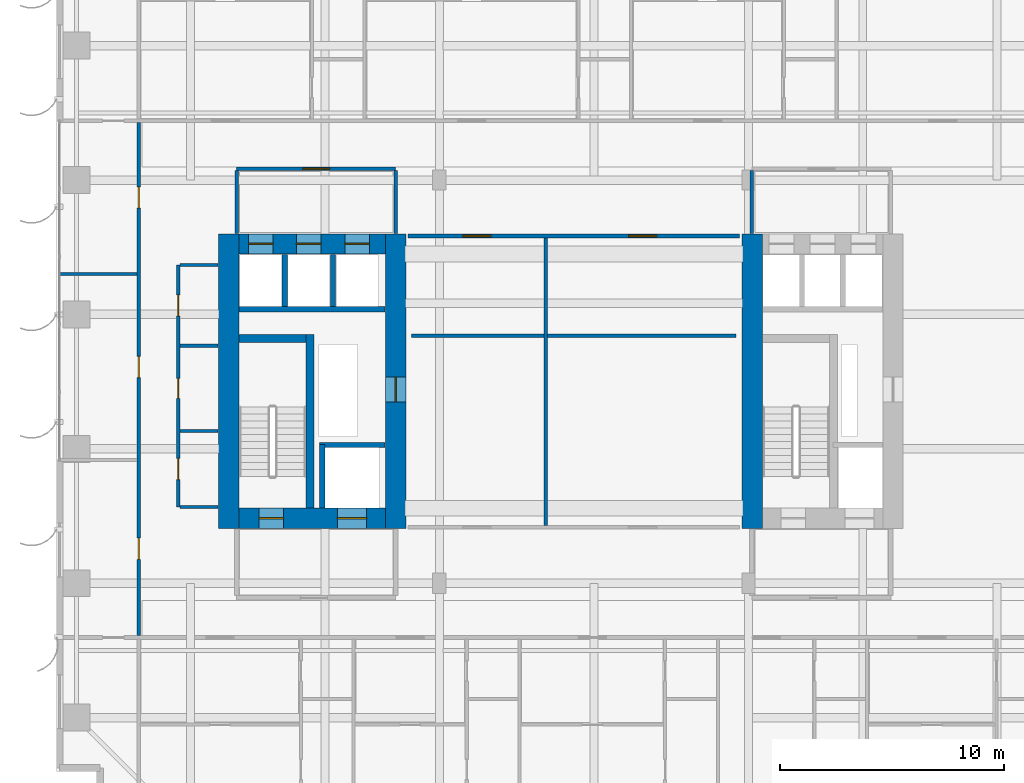
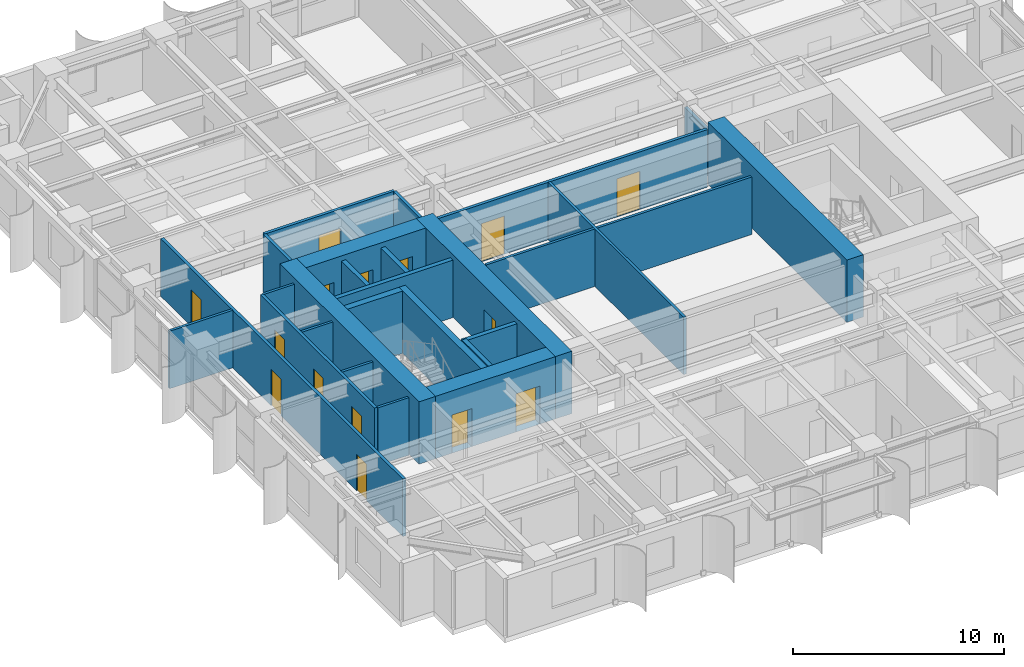
# One storey, part 17 of 26: 26 walls, 15 doors, 15 openings.
"""IFC4 building model written with IfcOpenShell, lengths in metres."""

from ifc_helpers import new_model, si_unit, direction, frame, frame_2d, origin, place, context, subcontext, project, spatial, rectangle, extrude, source, transform, mapped, material, layer, layer_set, type_object, element, fill, save


model = new_model("IFC4")

# Units and contexts
model_context = context("Model", 3, precision=1e-05, world=origin(), true_north=direction((0.0, 1.0)))
body_context = subcontext(model_context, "Body", "Model", "MODEL_VIEW")
ifc_project = project(units=[si_unit("LENGTHUNIT", "METRE"), si_unit("AREAUNIT", "SQUARE_METRE"), si_unit("VOLUMEUNIT", "CUBIC_METRE"), si_unit("PLANEANGLEUNIT", "RADIAN"), si_unit("MASSUNIT", "GRAM", prefix="KILO")], contexts=[model_context])

# Site, building, storey
site_placement = place(None, origin())
site = spatial("IfcSite", under=ifc_project, at=site_placement, CompositionType="ELEMENT")
building_placement = place(site_placement, origin())
building = spatial("IfcBuilding", under=site, at=building_placement, Name="Khoralis Quay Care Tower", CompositionType="ELEMENT")
storey_placement = place(building_placement, frame((0.0, 0.0, 26.10009765625)))
storey = spatial("IfcBuildingStorey", under=building, at=storey_placement, Name="L06", CompositionType="ELEMENT", Elevation=26.10009765625)

# Wall
ifc_material_1 = material(Name="Concrete C80/95", Category="concrete")
ifc_layer_1 = layer(ifc_material_1, 0.89990234375)
ifc_layer_set_1 = layer_set([ifc_layer_1], Name="Concrete C80/95")
wall_type_1 = type_object("IfcWallType", Name="WL-CORE-900", PredefinedType="SHEAR", material=ifc_layer_set_1)
wall_1_placement = place(storey_placement, frame((7.699951171875, 14.449951171875, 0.0), z_axis=(0.0, 0.0, 1.0), x_axis=(0.0, 1.0, 0.0)))
element("IfcWall", 1, at=wall_1_placement, inside=storey, type_object=wall_type_1, Name="L06 WCORE West Shear Wall", PredefinedType="SHEAR", context=body_context, shape_type="SweptSolid", body=[
    extrude(rectangle(XDim=13.150146484375, YDim=0.89990234375, at=frame_2d((6.5751953125, 0.0))), origin(), (0.0, 0.0, 1.0), 3.599853515625),
])

# Wall, opening, door
wall_2_placement = place(storey_placement, frame((15.14990234375, 14.449951171875, 0.0), z_axis=(0.0, 0.0, 1.0), x_axis=(0.0, 1.0, 0.0)))
wall_2 = element("IfcWall", 2, at=wall_2_placement, inside=storey, type_object=wall_type_1, Name="L06 WCORE East Shear Wall", PredefinedType="SHEAR", context=body_context, shape_type="SweptSolid", body=[
    extrude(rectangle(XDim=13.150146484375, YDim=0.89990234375, at=frame_2d((6.5751953125, 0.0))), origin(), (0.0, 0.0, 1.0), 3.599853515625),
])
opening_1_placement = place(wall_2_placement, frame((5.64990234375, 0.0, 0.0)))
opening_1 = element("IfcOpeningElement", 3, at=opening_1_placement, cuts=wall_2, Name="Opening SD1", PredefinedType="OPENING", context=body_context, shape_type="SweptSolid", body=[
    extrude(rectangle(XDim=1.10009765625, YDim=2.199951171875, at=frame_2d((0.550048828125, 1.10009765625))), frame((0.0, 0.4599609375, 0.0), z_axis=(0.0, -1.0, 0.0), x_axis=(1.0, 0.0, 0.0)), (0.0, 0.0, 1.0), 0.919921875),
])
ifc_material_2 = material(Name="Fire-rated painted steel", Category="steel")
door_type_1 = type_object("IfcDoorType", Name="DR-STAIR-1100X2200", OperationType="NOTDEFINED", PredefinedType="DOOR", material=ifc_material_2)
shared_shape_1 = source(origin(), body_context, "Body", "SweptSolid", [
    extrude(rectangle(XDim=1.10009765625, YDim=2.199951171875, at=frame_2d((0.550048828125, 1.10009765625))), frame((0.0, 0.02490234375, 0.0), z_axis=(0.0, -1.0, 0.0), x_axis=(1.0, 0.0, 0.0)), (0.0, 0.0, 1.0), 0.050048828125),
])
door_1_placement = place(opening_1_placement, origin())
door_1 = element("IfcDoor", 4, at=door_1_placement, inside=storey, type_object=door_type_1, Name="L06 West MEP Riser Door", OperationType="SINGLE_SWING_RIGHT", OverallHeight=2.199951171875, OverallWidth=1.10009765625, PredefinedType="DOOR", context=body_context, shape_type="MappedRepresentation", body=[
    mapped(shared_shape_1, transform((0.0, 0.0, 0.0), scale=1.0)),
])
fill(opening_1, door_1)

# Wall, openings, doors
wall_3_placement = place(storey_placement, frame((8.14990234375, 14.89990234375, 0.0), z_axis=(0.0, 0.0, 1.0), x_axis=(1.0, 0.0, 0.0)))
wall_3 = element("IfcWall", 5, at=wall_3_placement, inside=storey, type_object=wall_type_1, Name="L06 WCORE South Shear Wall", PredefinedType="SHEAR", context=body_context, shape_type="SweptSolid", body=[
    extrude(rectangle(XDim=6.550048828125, YDim=0.89990234375, at=frame_2d((3.27490234375, 0.0))), origin(), (0.0, 0.0, 1.0), 3.599853515625),
])
opening_2_placement = place(wall_3_placement, frame((0.89990234375, 0.0, 0.0)))
opening_2 = element("IfcOpeningElement", 6, at=opening_2_placement, cuts=wall_3, Name="Opening SD1", PredefinedType="OPENING", context=body_context, shape_type="SweptSolid", body=[
    extrude(rectangle(XDim=1.10009765625, YDim=2.199951171875, at=frame_2d((0.550048828125, 1.10009765625))), frame((0.0, 0.4599609375, 0.0), z_axis=(0.0, -1.0, 0.0), x_axis=(1.0, 0.0, 0.0)), (0.0, 0.0, 1.0), 0.919921875),
])
opening_3_placement = place(wall_3_placement, frame((4.39990234375, 0.0, 0.0)))
opening_3 = element("IfcOpeningElement", 7, at=opening_3_placement, cuts=wall_3, Name="Opening LD2", PredefinedType="OPENING", context=body_context, shape_type="SweptSolid", body=[
    extrude(rectangle(XDim=1.300048828125, YDim=2.199951171875, at=frame_2d((0.64990234375, 1.10009765625))), frame((0.0, 0.4599609375, 0.0), z_axis=(0.0, -1.0, 0.0), x_axis=(1.0, 0.0, 0.0)), (0.0, 0.0, 1.0), 0.919921875),
])
door_2_placement = place(opening_2_placement, origin())
door_2 = element("IfcDoor", 8, at=door_2_placement, inside=storey, type_object=door_type_1, Name="L06 Stair ST-T1 Fire Door", OperationType="SINGLE_SWING_RIGHT", OverallHeight=2.199951171875, OverallWidth=1.10009765625, PredefinedType="DOOR", context=body_context, shape_type="MappedRepresentation", body=[
    mapped(shared_shape_1, transform((0.0, 0.0, 0.0), scale=1.0)),
])
fill(opening_2, door_2)
ifc_material_3 = material(Name="Brushed stainless steel", Category="steel")
door_type_2 = type_object("IfcDoorType", Name="DR-LIFT-1300X2200", OperationType="SLIDING_TO_RIGHT", PredefinedType="DOOR", material=ifc_material_3)
shared_shape_2 = source(origin(), body_context, "Body", "SweptSolid", [
    extrude(rectangle(XDim=1.300048828125, YDim=2.199951171875, at=frame_2d((0.64990234375, 1.10009765625))), frame((0.0, 0.02490234375, 0.0), z_axis=(0.0, -1.0, 0.0), x_axis=(1.0, 0.0, 0.0)), (0.0, 0.0, 1.0), 0.050048828125),
])
door_3_placement = place(opening_3_placement, origin())
door_3 = element("IfcDoor", 9, at=door_3_placement, inside=storey, type_object=door_type_2, Name="L06 Firefighting Lift FFL-1 Landing Door", OperationType="SLIDING_TO_RIGHT", OverallHeight=2.199951171875, OverallWidth=1.300048828125, PredefinedType="DOOR", context=body_context, shape_type="MappedRepresentation", body=[
    mapped(shared_shape_2, transform((0.0, 0.0, 0.0), scale=1.0)),
])
fill(opening_3, door_3)

wall_4_placement = place(storey_placement, frame((8.14990234375, 27.14990234375, 0.0), z_axis=(0.0, 0.0, 1.0), x_axis=(1.0, 0.0, 0.0)))
wall_4 = element("IfcWall", 10, at=wall_4_placement, inside=storey, type_object=wall_type_1, Name="L06 WCORE North Shear Wall", PredefinedType="SHEAR", context=body_context, shape_type="SweptSolid", body=[
    extrude(rectangle(XDim=6.550048828125, YDim=0.89990234375, at=frame_2d((3.27490234375, 0.0))), origin(), (0.0, 0.0, 1.0), 3.599853515625),
])
opening_4_placement = place(wall_4_placement, frame((0.429931640625, 0.0, 0.0)))
opening_4 = element("IfcOpeningElement", 11, at=opening_4_placement, cuts=wall_4, Name="Opening LD1", PredefinedType="OPENING", context=body_context, shape_type="SweptSolid", body=[
    extrude(rectangle(XDim=1.10009765625, YDim=2.199951171875, at=frame_2d((0.550048828125, 1.10009765625))), frame((0.0, 0.4599609375, 0.0), z_axis=(0.0, -1.0, 0.0), x_axis=(1.0, 0.0, 0.0)), (0.0, 0.0, 1.0), 0.919921875),
])
opening_5_placement = place(wall_4_placement, frame((2.570068359375, 0.0, 0.0)))
opening_5 = element("IfcOpeningElement", 12, at=opening_5_placement, cuts=wall_4, Name="Opening LD1", PredefinedType="OPENING", context=body_context, shape_type="SweptSolid", body=[
    extrude(rectangle(XDim=1.10009765625, YDim=2.199951171875, at=frame_2d((0.550048828125, 1.10009765625))), frame((0.0, 0.4599609375, 0.0), z_axis=(0.0, -1.0, 0.0), x_axis=(1.0, 0.0, 0.0)), (0.0, 0.0, 1.0), 0.919921875),
])
opening_6_placement = place(wall_4_placement, frame((4.72998046875, 0.0, 0.0)))
opening_6 = element("IfcOpeningElement", 13, at=opening_6_placement, cuts=wall_4, Name="Opening LD1", PredefinedType="OPENING", context=body_context, shape_type="SweptSolid", body=[
    extrude(rectangle(XDim=1.10009765625, YDim=2.199951171875, at=frame_2d((0.550048828125, 1.10009765625))), frame((0.0, 0.4599609375, 0.0), z_axis=(0.0, -1.0, 0.0), x_axis=(1.0, 0.0, 0.0)), (0.0, 0.0, 1.0), 0.919921875),
])
door_type_3 = type_object("IfcDoorType", Name="DR-LIFT-1100X2200", OperationType="SLIDING_TO_LEFT", PredefinedType="DOOR", material=ifc_material_3)
shared_shape_3 = source(origin(), body_context, "Body", "SweptSolid", [
    extrude(rectangle(XDim=1.10009765625, YDim=2.199951171875, at=frame_2d((0.550048828125, 1.10009765625))), frame((0.0, 0.02490234375, 0.0), z_axis=(0.0, -1.0, 0.0), x_axis=(1.0, 0.0, 0.0)), (0.0, 0.0, 1.0), 0.050048828125),
])
door_4_placement = place(opening_4_placement, origin())
door_4 = element("IfcDoor", 14, at=door_4_placement, inside=storey, type_object=door_type_3, Name="L06 Lift PLL1 Landing Door", OperationType="SLIDING_TO_LEFT", OverallHeight=2.199951171875, OverallWidth=1.10009765625, PredefinedType="DOOR", context=body_context, shape_type="MappedRepresentation", body=[
    mapped(shared_shape_3, transform((0.0, 0.0, 0.0), scale=1.0)),
])
fill(opening_4, door_4)
door_5_placement = place(opening_5_placement, origin())
door_5 = element("IfcDoor", 15, at=door_5_placement, inside=storey, type_object=door_type_3, Name="L06 Lift PLM1 Landing Door", OperationType="SLIDING_TO_LEFT", OverallHeight=2.199951171875, OverallWidth=1.10009765625, PredefinedType="DOOR", context=body_context, shape_type="MappedRepresentation", body=[
    mapped(shared_shape_3, transform((0.0, 0.0, 0.0), scale=1.0)),
])
fill(opening_5, door_5)
door_6_placement = place(opening_6_placement, origin())
door_6 = element("IfcDoor", 16, at=door_6_placement, inside=storey, type_object=door_type_3, Name="L06 Lift PLH1 Landing Door", OperationType="SLIDING_TO_LEFT", OverallHeight=2.199951171875, OverallWidth=1.10009765625, PredefinedType="DOOR", context=body_context, shape_type="MappedRepresentation", body=[
    mapped(shared_shape_3, transform((0.0, 0.0, 0.0), scale=1.0)),
])
fill(opening_6, door_6)

# Wall
wall_5_placement = place(storey_placement, frame((31.070068359375, 14.449951171875, 0.0), z_axis=(0.0, 0.0, 1.0), x_axis=(0.0, 1.0, 0.0)))
element("IfcWall", 17, at=wall_5_placement, inside=storey, type_object=wall_type_1, Name="L06 ECORE West Shear Wall", PredefinedType="SHEAR", context=body_context, shape_type="SweptSolid", body=[
    extrude(rectangle(XDim=13.150146484375, YDim=0.89990234375, at=frame_2d((6.5751953125, 0.0))), origin(), (0.0, 0.0, 1.0), 3.599853515625),
])

# Wall, opening, door
ifc_material_4 = material(Name="Gypsum plasterboard on acoustic metal stud")
ifc_layer_2 = layer(ifc_material_4, 0.1650390625)
ifc_layer_set_2 = layer_set([ifc_layer_2], Name="Gypsum plasterboard on acoustic metal stud")
wall_type_2 = type_object("IfcWallType", Name="WL-CORR-165", PredefinedType="PARTITIONING", material=ifc_layer_set_2)
wall_6_placement = place(storey_placement, frame((8.050048828125, 30.5, 0.0), z_axis=(0.0, 0.0, 1.0), x_axis=(1.0, 0.0, 0.0)))
wall_6 = element("IfcWall", 18, at=wall_6_placement, inside=storey, type_object=wall_type_2, Name="L06 West Lift Lobby North Wall", PredefinedType="PARTITIONING", context=body_context, shape_type="SweptSolid", body=[
    extrude(rectangle(XDim=7.099853515625, YDim=0.1650390625, at=frame_2d((3.5498046875, 0.0))), origin(), (0.0, 0.0, 1.0), 3.31982421875),
])
opening_7_placement = place(wall_6_placement, frame((2.949951171875, 0.0, 0.0)))
opening_7 = element("IfcOpeningElement", 19, at=opening_7_placement, cuts=wall_6, Name="Opening FD1", PredefinedType="OPENING", context=body_context, shape_type="SweptSolid", body=[
    extrude(rectangle(XDim=1.199951171875, YDim=2.199951171875, at=frame_2d((0.60009765625, 1.10009765625))), frame((0.0, 0.092529296875, 0.0), z_axis=(0.0, -1.0, 0.0), x_axis=(1.0, 0.0, 0.0)), (0.0, 0.0, 1.0), 0.18505859375),
])
door_type_4 = type_object("IfcDoorType", Name="DR-FFL-1200X2200", OperationType="NOTDEFINED", PredefinedType="DOOR", material=ifc_material_2)
shared_shape_4 = source(origin(), body_context, "Body", "SweptSolid", [
    extrude(rectangle(XDim=1.199951171875, YDim=2.199951171875, at=frame_2d((0.60009765625, 1.10009765625))), frame((0.0, 0.02490234375, 0.0), z_axis=(0.0, -1.0, 0.0), x_axis=(1.0, 0.0, 0.0)), (0.0, 0.0, 1.0), 0.050048828125),
])
door_7_placement = place(opening_7_placement, origin())
door_7 = element("IfcDoor", 20, at=door_7_placement, inside=storey, type_object=door_type_4, Name="L06 West Lift Lobby Double Door", OperationType="DOUBLE_DOOR_SINGLE_SWING", OverallHeight=2.199951171875, OverallWidth=1.199951171875, PredefinedType="DOOR", context=body_context, shape_type="MappedRepresentation", body=[
    mapped(shared_shape_4, transform((0.0, 0.0, 0.0), scale=1.0)),
])
fill(opening_7, door_7)

# Walls
for number, where, z_axis, x_axis, name in (
    (21, (8.050048828125, 27.6201171875, 0.0), (0.0, 0.0, 1.0), (0.0, 1.0, 0.0), "L06 West Lift Lobby West Wall"),
    (22, (15.14990234375, 27.6201171875, 0.0), (0.0, 0.0, 1.0), (0.0, 1.0, 0.0), "L06 West Lift Lobby East Wall"),
):
    element("IfcWall", number, at=place(storey_placement, frame(where, z_axis=z_axis, x_axis=x_axis)), inside=storey, type_object=wall_type_2, Name=name, PredefinedType="PARTITIONING", context=body_context, shape_type="SweptSolid", body=[
        extrude(rectangle(XDim=2.802490234375, YDim=0.1650390625, at=frame_2d((1.4013671875, 0.0))), origin(), (0.0, 0.0, 1.0), 3.31982421875),
    ])
wall_7_placement = place(storey_placement, frame((31.050048828125, 27.6201171875, 0.0), z_axis=(0.0, 0.0, 1.0), x_axis=(0.0, 1.0, 0.0)))
element("IfcWall", 23, at=wall_7_placement, inside=storey, type_object=wall_type_2, Name="L06 East Lift Lobby West Wall", PredefinedType="PARTITIONING", context=body_context, shape_type="SweptSolid", body=[
    extrude(rectangle(XDim=2.802490234375, YDim=0.1650390625, at=frame_2d((1.4013671875, 0.0))), origin(), (0.0, 0.0, 1.0), 2.625),
])

# Wall, openings, doors
wall_8_placement = place(storey_placement, frame((5.449951171875, 15.39990234375, 0.0), z_axis=(0.0, 0.0, 1.0), x_axis=(0.0, 1.0, 0.0)))
wall_8 = element("IfcWall", 24, at=wall_8_placement, inside=storey, type_object=wall_type_2, Name="L06 West Core Service Flank Wall", PredefinedType="PARTITIONING", context=body_context, shape_type="SweptSolid", body=[
    extrude(rectangle(XDim=10.800048828125, YDim=0.1650390625, at=frame_2d((5.39990234375, 0.0))), origin(), (0.0, 0.0, 1.0), 3.31982421875),
])
opening_8_placement = place(wall_8_placement, frame((1.22509765625, 0.0, 0.0)))
opening_8 = element("IfcOpeningElement", 25, at=opening_8_placement, cuts=wall_8, Name="Opening ID1", PredefinedType="OPENING", context=body_context, shape_type="SweptSolid", body=[
    extrude(rectangle(XDim=0.949951171875, YDim=2.10009765625, at=frame_2d((0.47509765625, 1.050048828125))), frame((0.0, 0.092529296875, 0.0), z_axis=(0.0, -1.0, 0.0), x_axis=(1.0, 0.0, 0.0)), (0.0, 0.0, 1.0), 0.18505859375),
])
opening_9_placement = place(wall_8_placement, frame((4.85009765625, 0.0, 0.0)))
opening_9 = element("IfcOpeningElement", 26, at=opening_9_placement, cuts=wall_8, Name="Opening WD1", PredefinedType="OPENING", context=body_context, shape_type="SweptSolid", body=[
    extrude(rectangle(XDim=0.89990234375, YDim=2.10009765625, at=frame_2d((0.449951171875, 1.050048828125))), frame((0.0, 0.092529296875, 0.0), z_axis=(0.0, -1.0, 0.0), x_axis=(1.0, 0.0, 0.0)), (0.0, 0.0, 1.0), 0.18505859375),
])
opening_10_placement = place(wall_8_placement, frame((8.52490234375, 0.0, 0.0)))
opening_10 = element("IfcOpeningElement", 27, at=opening_10_placement, cuts=wall_8, Name="Opening ID1", PredefinedType="OPENING", context=body_context, shape_type="SweptSolid", body=[
    extrude(rectangle(XDim=0.949951171875, YDim=2.10009765625, at=frame_2d((0.47509765625, 1.050048828125))), frame((0.0, 0.092529296875, 0.0), z_axis=(0.0, -1.0, 0.0), x_axis=(1.0, 0.0, 0.0)), (0.0, 0.0, 1.0), 0.18505859375),
])
ifc_material_5 = material(Name="Acoustic hardwood timber", Category="wood")
door_type_5 = type_object("IfcDoorType", Name="DR-BATH-900X2100", OperationType="NOTDEFINED", PredefinedType="DOOR", material=ifc_material_5)
shared_shape_5 = source(origin(), body_context, "Body", "SweptSolid", [
    extrude(rectangle(XDim=0.89990234375, YDim=2.10009765625, at=frame_2d((0.449951171875, 1.050048828125))), frame((0.0, 0.02490234375, 0.0), z_axis=(0.0, -1.0, 0.0), x_axis=(1.0, 0.0, 0.0)), (0.0, 0.0, 1.0), 0.050048828125),
])
door_8_placement = place(opening_9_placement, frame((0.89990234375, 0.0, 0.0), z_axis=(0.0, 0.0, 1.0), x_axis=(-1.0, 0.0, 0.0)))
door_8 = element("IfcDoor", 28, at=door_8_placement, inside=storey, type_object=door_type_5, Name="L06 Public Accessible WC Door", OperationType="SINGLE_SWING_RIGHT", OverallHeight=2.10009765625, OverallWidth=0.89990234375, PredefinedType="DOOR", context=body_context, shape_type="MappedRepresentation", body=[
    mapped(shared_shape_5, transform((0.0, 0.0, 0.0), scale=1.0)),
])
fill(opening_9, door_8)
door_type_6 = type_object("IfcDoorType", Name="DR-ROOM-950X2100", OperationType="NOTDEFINED", PredefinedType="DOOR", material=ifc_material_5)
shared_shape_6 = source(origin(), body_context, "Body", "SweptSolid", [
    extrude(rectangle(XDim=0.949951171875, YDim=2.10009765625, at=frame_2d((0.47509765625, 1.050048828125))), frame((0.0, 0.02490234375, 0.0), z_axis=(0.0, -1.0, 0.0), x_axis=(1.0, 0.0, 0.0)), (0.0, 0.0, 1.0), 0.050048828125),
])
door_9_placement = place(opening_8_placement, frame((0.949951171875, 0.0, 0.0), z_axis=(0.0, 0.0, 1.0), x_axis=(-1.0, 0.0, 0.0)))
door_9 = element("IfcDoor", 29, at=door_9_placement, inside=storey, type_object=door_type_6, Name="L06 Clean Utility Store Door", OperationType="SINGLE_SWING_LEFT", OverallHeight=2.10009765625, OverallWidth=0.949951171875, PredefinedType="DOOR", context=body_context, shape_type="MappedRepresentation", body=[
    mapped(shared_shape_6, transform((0.0, 0.0, 0.0), scale=1.0)),
])
fill(opening_8, door_9)
door_10_placement = place(opening_10_placement, frame((0.949951171875, 0.0, 0.0), z_axis=(0.0, 0.0, 1.0), x_axis=(-1.0, 0.0, 0.0)))
door_10 = element("IfcDoor", 30, at=door_10_placement, inside=storey, type_object=door_type_6, Name="L06 Electrical Switchboard Room Door", OperationType="SINGLE_SWING_LEFT", OverallHeight=2.10009765625, OverallWidth=0.949951171875, PredefinedType="DOOR", context=body_context, shape_type="MappedRepresentation", body=[
    mapped(shared_shape_6, transform((0.0, 0.0, 0.0), scale=1.0)),
])
fill(opening_10, door_10)

wall_9_placement = place(storey_placement, frame((3.679931640625, 9.657470703125, 0.0), z_axis=(0.0, 0.0, 1.0), x_axis=(0.0, 1.0, 0.0)))
wall_9 = element("IfcWall", 31, at=wall_9_placement, inside=storey, type_object=wall_type_2, Name="L06 West Loop Corridor Wall", PredefinedType="PARTITIONING", context=body_context, shape_type="SweptSolid", body=[
    extrude(rectangle(XDim=22.905029296875, YDim=0.1650390625, at=frame_2d((11.45263671875, 0.0))), origin(), (0.0, 0.0, 1.0), 3.31982421875),
])
opening_11_placement = place(wall_9_placement, frame((3.407470703125, 0.0, 0.0)))
opening_11 = element("IfcOpeningElement", 32, at=opening_11_placement, cuts=wall_9, Name="Opening ID1", PredefinedType="OPENING", context=body_context, shape_type="SweptSolid", body=[
    extrude(rectangle(XDim=0.949951171875, YDim=2.10009765625, at=frame_2d((0.47509765625, 1.050048828125))), frame((0.0, 0.092529296875, 0.0), z_axis=(0.0, -1.0, 0.0), x_axis=(1.0, 0.0, 0.0)), (0.0, 0.0, 1.0), 0.18505859375),
])
opening_12_placement = place(wall_9_placement, frame((11.517578125, 0.0, 0.0)))
opening_12 = element("IfcOpeningElement", 33, at=opening_12_placement, cuts=wall_9, Name="Opening ID1", PredefinedType="OPENING", context=body_context, shape_type="SweptSolid", body=[
    extrude(rectangle(XDim=0.949951171875, YDim=2.10009765625, at=frame_2d((0.47509765625, 1.050048828125))), frame((0.0, 0.092529296875, 0.0), z_axis=(0.0, -1.0, 0.0), x_axis=(1.0, 0.0, 0.0)), (0.0, 0.0, 1.0), 0.18505859375),
])
opening_13_placement = place(wall_9_placement, frame((19.08740234375, 0.0, 0.0)))
opening_13 = element("IfcOpeningElement", 34, at=opening_13_placement, cuts=wall_9, Name="Opening ID1", PredefinedType="OPENING", context=body_context, shape_type="SweptSolid", body=[
    extrude(rectangle(XDim=0.949951171875, YDim=2.10009765625, at=frame_2d((0.47509765625, 1.050048828125))), frame((0.0, 0.092529296875, 0.0), z_axis=(0.0, -1.0, 0.0), x_axis=(1.0, 0.0, 0.0)), (0.0, 0.0, 1.0), 0.18505859375),
])
door_11_placement = place(opening_11_placement, origin())
door_11 = element("IfcDoor", 35, at=door_11_placement, inside=storey, type_object=door_type_6, Name="L06 Therapy Consultation Room Door", OperationType="SINGLE_SWING_LEFT", OverallHeight=2.10009765625, OverallWidth=0.949951171875, PredefinedType="DOOR", context=body_context, shape_type="MappedRepresentation", body=[
    mapped(shared_shape_6, transform((0.0, 0.0, 0.0), scale=1.0)),
])
fill(opening_11, door_11)
door_12_placement = place(opening_12_placement, origin())
door_12 = element("IfcDoor", 36, at=door_12_placement, inside=storey, type_object=door_type_6, Name="L06 Assisted Activity Lounge Door", OperationType="SINGLE_SWING_RIGHT", OverallHeight=2.10009765625, OverallWidth=0.949951171875, PredefinedType="DOOR", context=body_context, shape_type="MappedRepresentation", body=[
    mapped(shared_shape_6, transform((0.0, 0.0, 0.0), scale=1.0)),
])
fill(opening_12, door_12)
door_13_placement = place(opening_13_placement, origin())
door_13 = element("IfcDoor", 37, at=door_13_placement, inside=storey, type_object=door_type_6, Name="L06 Nurse Charting Office Door", OperationType="SINGLE_SWING_LEFT", OverallHeight=2.10009765625, OverallWidth=0.949951171875, PredefinedType="DOOR", context=body_context, shape_type="MappedRepresentation", body=[
    mapped(shared_shape_6, transform((0.0, 0.0, 0.0), scale=1.0)),
])
fill(opening_13, door_13)

wall_10_placement = place(storey_placement, frame((15.699951171875, 27.5, 0.0), z_axis=(0.0, 0.0, 1.0), x_axis=(1.0, 0.0, 0.0)))
wall_10 = element("IfcWall", 38, at=wall_10_placement, inside=storey, type_object=wall_type_2, Name="L06 Central Clinical North Wall", PredefinedType="PARTITIONING", context=body_context, shape_type="SweptSolid", body=[
    extrude(rectangle(XDim=14.800048828125, YDim=0.1650390625, at=frame_2d((7.39990234375, 0.0))), origin(), (0.0, 0.0, 1.0), 3.31982421875),
])
opening_14_placement = place(wall_10_placement, frame((2.449951171875, 0.0, 0.0)))
opening_14 = element("IfcOpeningElement", 39, at=opening_14_placement, cuts=wall_10, Name="Opening CD1", PredefinedType="OPENING", context=body_context, shape_type="SweptSolid", body=[
    extrude(rectangle(XDim=1.25, YDim=2.199951171875, at=frame_2d((0.625, 1.10009765625))), frame((0.0, 0.092529296875, 0.0), z_axis=(0.0, -1.0, 0.0), x_axis=(1.0, 0.0, 0.0)), (0.0, 0.0, 1.0), 0.18505859375),
])
opening_15_placement = place(wall_10_placement, frame((9.85009765625, 0.0, 0.0)))
opening_15 = element("IfcOpeningElement", 40, at=opening_15_placement, cuts=wall_10, Name="Opening CD1", PredefinedType="OPENING", context=body_context, shape_type="SweptSolid", body=[
    extrude(rectangle(XDim=1.25, YDim=2.199951171875, at=frame_2d((0.625, 1.10009765625))), frame((0.0, 0.092529296875, 0.0), z_axis=(0.0, -1.0, 0.0), x_axis=(1.0, 0.0, 0.0)), (0.0, 0.0, 1.0), 0.18505859375),
])
door_type_7 = type_object("IfcDoorType", Name="DR-CARE-1250X2200", OperationType="NOTDEFINED", PredefinedType="DOOR", material=ifc_material_5)
shared_shape_7 = source(origin(), body_context, "Body", "SweptSolid", [
    extrude(rectangle(XDim=1.25, YDim=2.199951171875, at=frame_2d((0.625, 1.10009765625))), frame((0.0, 0.02490234375, 0.0), z_axis=(0.0, -1.0, 0.0), x_axis=(1.0, 0.0, 0.0)), (0.0, 0.0, 1.0), 0.050048828125),
])
door_14_placement = place(opening_14_placement, frame((1.25, 0.0, 0.0), z_axis=(0.0, 0.0, 1.0), x_axis=(-1.0, 0.0, 0.0)))
door_14 = element("IfcDoor", 41, at=door_14_placement, inside=storey, type_object=door_type_7, Name="L06 Library Lounge Door", OperationType="SINGLE_SWING_LEFT", OverallHeight=2.199951171875, OverallWidth=1.25, PredefinedType="DOOR", context=body_context, shape_type="MappedRepresentation", body=[
    mapped(shared_shape_7, transform((0.0, 0.0, 0.0), scale=1.0)),
])
fill(opening_14, door_14)
door_15_placement = place(opening_15_placement, frame((1.25, 0.0, 0.0), z_axis=(0.0, 0.0, 1.0), x_axis=(-1.0, 0.0, 0.0)))
door_15 = element("IfcDoor", 42, at=door_15_placement, inside=storey, type_object=door_type_7, Name="L06 Occupational Therapy Door", OperationType="SINGLE_SWING_RIGHT", OverallHeight=2.199951171875, OverallWidth=1.25, PredefinedType="DOOR", context=body_context, shape_type="MappedRepresentation", body=[
    mapped(shared_shape_7, transform((0.0, 0.0, 0.0), scale=1.0)),
])
fill(opening_15, door_15)

# Walls
ifc_material_6 = material(Name="Moisture-resistant gypsum and ceramic tile")
ifc_layer_3 = layer(ifc_material_6, 0.280029296875)
ifc_layer_set_3 = layer_set([ifc_layer_3], Name="Moisture-resistant gypsum and ceramic tile")
wall_type_3 = type_object("IfcWallType", Name="WL-PLUMB-280", PredefinedType="PLUMBINGWALL", material=ifc_layer_set_3)
wall_11_placement = place(storey_placement, frame((5.527587890625, 18.800048828125, 0.0), z_axis=(0.0, 0.0, 1.0), x_axis=(1.0, 0.0, 0.0)))
element("IfcWall", 43, at=wall_11_placement, inside=storey, type_object=wall_type_3, Name="L06 West Flank Divider 1", PredefinedType="PLUMBINGWALL", context=body_context, shape_type="SweptSolid", body=[
    extrude(rectangle(XDim=1.682373046875, YDim=0.139892578125, at=frame_2d((0.84130859375, 0.0))), origin(), (0.0, 0.0, 1.0), 3.31982421875),
])
ifc_material_7 = material(Name="Concrete C40/50", Category="concrete")
ifc_layer_4 = layer(ifc_material_7, 0.35009765625)
ifc_layer_set_4 = layer_set([ifc_layer_4], Name="Concrete C40/50")
wall_type_4 = type_object("IfcWallType", Name="WL-SC-CORE-350", PredefinedType="SHEAR", material=ifc_layer_set_4)
wall_12_placement = place(storey_placement, frame((11.324951171875, 15.35009765625, 0.0), z_axis=(0.0, 0.0, 1.0), x_axis=(0.0, 1.0, 0.0)))
element("IfcWall", 44, at=wall_12_placement, inside=storey, type_object=wall_type_4, Name="L06 Stair ST-T1 Shear Baffle Wall East", PredefinedType="SHEAR", context=body_context, shape_type="SweptSolid", body=[
    extrude(rectangle(XDim=7.75, YDim=0.35009765625, at=frame_2d((3.875, 0.0))), origin(), (0.0, 0.0, 1.0), 3.599853515625),
])
wall_13_placement = place(storey_placement, frame((8.14990234375, 22.925048828125, 0.0), z_axis=(0.0, 0.0, 1.0), x_axis=(1.0, 0.0, 0.0)))
element("IfcWall", 45, at=wall_13_placement, inside=storey, type_object=wall_type_4, Name="L06 Stair ST-T1 Shear Baffle Wall North", PredefinedType="SHEAR", context=body_context, shape_type="SweptSolid", body=[
    extrude(rectangle(XDim=3.0, YDim=0.35009765625, at=frame_2d((1.5, 0.0))), origin(), (0.0, 0.0, 1.0), 3.599853515625),
])
ifc_layer_5 = layer(ifc_material_4, 0.239990234375)
ifc_layer_set_5 = layer_set([ifc_layer_5], Name="Gypsum plasterboard on acoustic metal stud")
wall_type_5 = type_object("IfcWallType", Name="WL-SHAFT-240", PredefinedType="PARTITIONING", material=ifc_layer_set_5)
wall_14_placement = place(storey_placement, frame((11.8798828125, 15.35009765625, 0.0), z_axis=(0.0, 0.0, 1.0), x_axis=(0.0, 1.0, 0.0)))
element("IfcWall", 46, at=wall_14_placement, inside=storey, type_object=wall_type_5, Name="L06 FFL-1 Shaft Wall West", PredefinedType="PARTITIONING", context=body_context, shape_type="SweptSolid", body=[
    extrude(rectangle(XDim=2.849853515625, YDim=0.239990234375, at=frame_2d((1.4248046875, 0.0))), origin(), (0.0, 0.0, 1.0), 3.31982421875),
])
wall_15_placement = place(storey_placement, frame((11.760009765625, 18.169921875, 0.0), z_axis=(0.0, 0.0, 1.0), x_axis=(1.0, 0.0, 0.0)))
element("IfcWall", 47, at=wall_15_placement, inside=storey, type_object=wall_type_5, Name="L06 FFL-1 Shaft Wall North", PredefinedType="PARTITIONING", context=body_context, shape_type="SweptSolid", body=[
    extrude(rectangle(XDim=2.919921875, YDim=0.239990234375, at=frame_2d((1.4599609375, 0.0))), origin(), (0.0, 0.0, 1.0), 3.31982421875),
])
wall_16_placement = place(storey_placement, frame((8.14990234375, 24.22998046875, 0.0), z_axis=(0.0, 0.0, 1.0), x_axis=(1.0, 0.0, 0.0)))
element("IfcWall", 48, at=wall_16_placement, inside=storey, type_object=wall_type_5, Name="L06 West Passenger Shaft South Wall", PredefinedType="PARTITIONING", context=body_context, shape_type="SweptSolid", body=[
    extrude(rectangle(XDim=6.530029296875, YDim=0.239990234375, at=frame_2d((3.26513671875, 0.0))), origin(), (0.0, 0.0, 1.0), 3.31982421875),
])
for number, where, z_axis, x_axis, name in (
    (49, (10.199951171875, 24.344970703125, 0.0), (0.0, 0.0, 1.0), (0.0, 1.0, 0.0), "L06 West Shaft Divider 1"),
    (50, (12.35009765625, 24.344970703125, 0.0), (0.0, 0.0, 1.0), (0.0, 1.0, 0.0), "L06 West Shaft Divider 2"),
):
    element("IfcWall", number, at=place(storey_placement, frame(where, z_axis=z_axis, x_axis=x_axis)), inside=storey, type_object=wall_type_5, Name=name, PredefinedType="PARTITIONING", context=body_context, shape_type="SweptSolid", body=[
        extrude(rectangle(XDim=2.3349609375, YDim=0.239990234375, at=frame_2d((1.16748046875, 0.0))), origin(), (0.0, 0.0, 1.0), 3.31982421875),
    ])
ifc_layer_6 = layer(ifc_material_4, 0.139892578125)
ifc_layer_set_6 = layer_set([ifc_layer_6], Name="Gypsum plasterboard on acoustic metal stud")
wall_type_6 = type_object("IfcWallType", Name="WL-UNIT-140", PredefinedType="PARTITIONING", material=ifc_layer_set_6)
for number, where, z_axis, x_axis, name in (
    (51, (5.527587890625, 15.39990234375, 0.0), (0.0, 0.0, 1.0), (1.0, 0.0, 0.0), "L06 West Flank South Cap"),
    (52, (5.527587890625, 26.199951171875, 0.0), (0.0, 0.0, 1.0), (1.0, 0.0, 0.0), "L06 West Flank North Cap"),
    (53, (5.527587890625, 22.60009765625, 0.0), (0.0, 0.0, 1.0), (1.0, 0.0, 0.0), "L06 West Flank Divider 2"),
):
    element("IfcWall", number, at=place(storey_placement, frame(where, z_axis=z_axis, x_axis=x_axis)), inside=storey, type_object=wall_type_6, Name=name, PredefinedType="PARTITIONING", context=body_context, shape_type="SweptSolid", body=[
        extrude(rectangle(XDim=1.682373046875, YDim=0.139892578125, at=frame_2d((0.84130859375, 0.0))), origin(), (0.0, 0.0, 1.0), 3.31982421875),
    ])
wall_17_placement = place(storey_placement, frame((0.14501953125, 25.800048828125, 0.0), z_axis=(0.0, 0.0, 1.0), x_axis=(1.0, 0.0, 0.0)))
element("IfcWall", 54, at=wall_17_placement, inside=storey, type_object=wall_type_6, Name="L06 WW Divider 2", PredefinedType="PARTITIONING", context=body_context, shape_type="SweptSolid", body=[
    extrude(rectangle(XDim=3.45751953125, YDim=0.139892578125, at=frame_2d((1.728759765625, 0.0))), origin(), (0.0, 0.0, 1.0), 3.31982421875),
])
wall_18_placement = place(storey_placement, frame((21.85009765625, 14.577392578125, 0.0), z_axis=(0.0, 0.0, 1.0), x_axis=(0.0, 1.0, 0.0)))
element("IfcWall", 55, at=wall_18_placement, inside=storey, type_object=wall_type_6, Name="L06 Central Split V", PredefinedType="PARTITIONING", context=body_context, shape_type="SweptSolid", body=[
    extrude(rectangle(XDim=12.84521484375, YDim=0.139892578125, at=frame_2d((6.422607421875, 0.0))), origin(), (0.0, 0.0, 1.0), 3.31982421875),
])
wall_19_placement = place(storey_placement, frame((15.85009765625, 23.050048828125, 0.0), z_axis=(0.0, 0.0, 1.0), x_axis=(1.0, 0.0, 0.0)))
element("IfcWall", 56, at=wall_19_placement, inside=storey, type_object=wall_type_6, Name="L06 Central Split H", PredefinedType="PARTITIONING", context=body_context, shape_type="SweptSolid", body=[
    extrude(rectangle(XDim=14.5, YDim=0.139892578125, at=frame_2d((7.25, 0.0))), origin(), (0.0, 0.0, 1.0), 3.31982421875),
])

save(model, "model.ifc")
